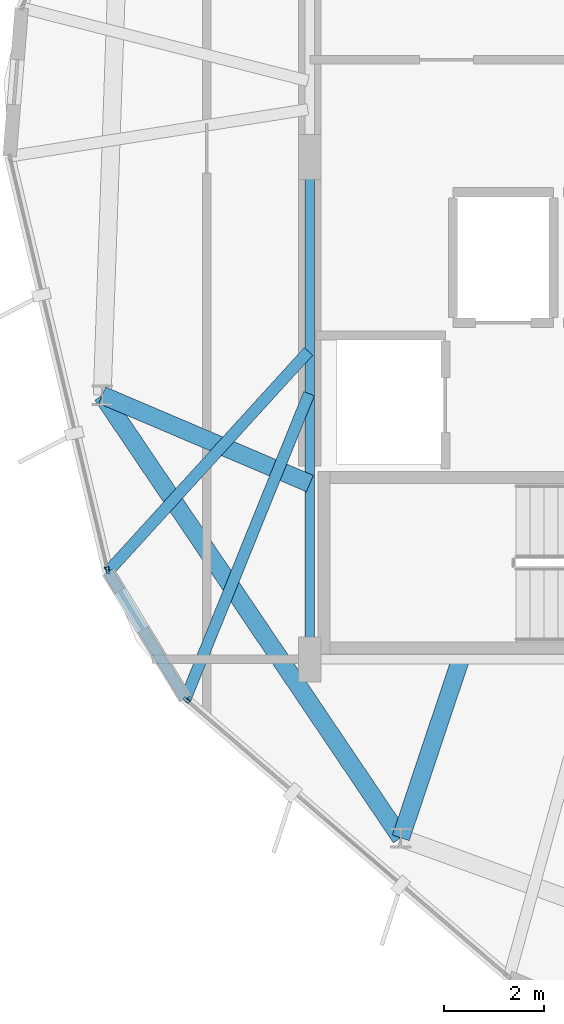
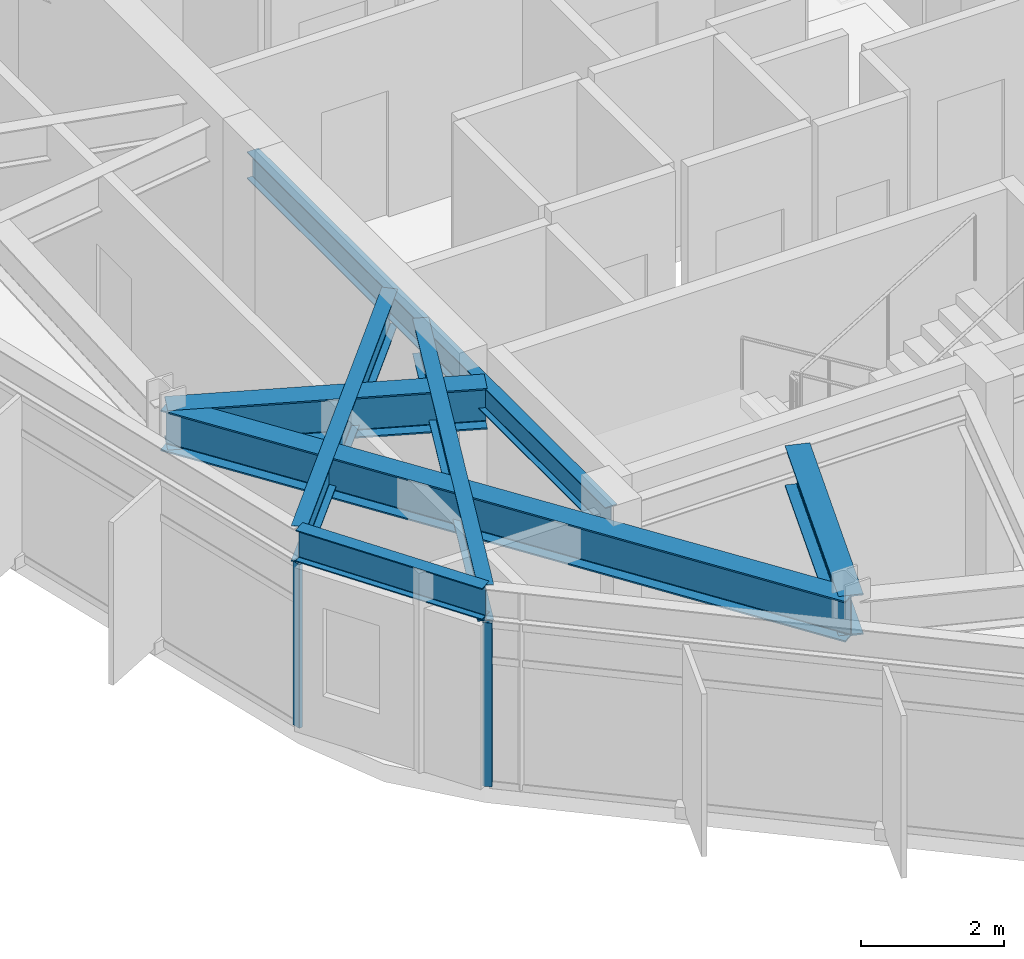
# One storey, part 3 of 23: 7 beams, 2 members, 2 elements without a shape of their own.
"""IFC4 building model written with IfcOpenShell, lengths in metres."""

from ifc_helpers import new_model, si_unit, direction, frame, origin, origin_2d, place, context, subcontext, project, spatial, hollow_rectangle, i_section, extrude, material, layer, layer_set, material_profile, profile_set, type_object, element, aggregate, save


model = new_model("IFC4")

# Units and contexts
model_context = context("Model", 3, precision=1e-05, world=origin(), true_north=direction((0.0, 1.0)))
body_context = subcontext(model_context, "Body", "Model", "MODEL_VIEW")
ifc_project = project(units=[si_unit("LENGTHUNIT", "METRE"), si_unit("AREAUNIT", "SQUARE_METRE"), si_unit("VOLUMEUNIT", "CUBIC_METRE"), si_unit("PLANEANGLEUNIT", "RADIAN"), si_unit("MASSUNIT", "GRAM", prefix="KILO")], contexts=[model_context])

# Site, building, storey
site_placement = place(None, origin())
site = spatial("IfcSite", under=ifc_project, at=site_placement, CompositionType="ELEMENT")
building_placement = place(site_placement, origin())
building = spatial("IfcBuilding", under=site, at=building_placement, Name="Soratama Intermodal Tower", CompositionType="ELEMENT")
storey_placement = place(building_placement, frame((0.0, 0.0, 280.0)))
storey = spatial("IfcBuildingStorey", under=building, at=storey_placement, Name="L71", CompositionType="ELEMENT", Elevation=280.0)

# Beams
ifc_material_1 = material(Name="Structural steel ASTM A992 Grade 50", Category="steel")
ifc_material_profile_1 = material_profile(ifc_material_1, i_section(OverallWidth=0.19091796875, OverallDepth=0.4599609375, WebThickness=0.010009765625, FlangeThickness=0.01611328125, FilletRadius=0.010986328125, at=origin_2d()), Name="W18X55")
ifc_profile_set_1 = profile_set([ifc_material_profile_1], Name="Structural steel ASTM A992 Grade 50")
beam_type_1 = type_object("IfcBeamType", Name="BM-FLR-W18X55", PredefinedType="BEAM", material=ifc_profile_set_1)
beam_1_placement = place(storey_placement, frame((32.60009765625, 25.0, 3.179931640625), z_axis=(0.0, -1.0, 0.0), x_axis=(1.0, 0.0, 0.0)))
element("IfcBeam", 1, at=beam_1_placement, inside=storey, type_object=beam_type_1, Name="BM-L71-CRING-09", PredefinedType="BEAM", context=body_context, shape_type="SweptSolid", body=[
    extrude(i_section(OverallWidth=0.19091796875, OverallDepth=0.4599609375, WebThickness=0.010009765625, FlangeThickness=0.01611328125, FilletRadius=0.010986328125, at=origin_2d()), origin(), (0.0, 0.0, 1.0), 10.0),
])
ifc_material_2 = material(Name="Structural steel ASTM A992 Grade 50", Category="steel")
ifc_material_profile_2 = material_profile(ifc_material_2, i_section(OverallWidth=0.35498046875, OverallDepth=0.695068359375, WebThickness=0.015380859375, FlangeThickness=0.02490234375, FilletRadius=0.01611328125, at=origin_2d()), Name="W27X146")
ifc_profile_set_2 = profile_set([ifc_material_profile_2], Name="Structural steel ASTM A992 Grade 50")
beam_type_2 = type_object("IfcBeamType", Name="BM-RING-W27X146", PredefinedType="BEAM", material=ifc_profile_set_2)
beam_2_placement = place(storey_placement, frame((28.466064453125, 20.259033203125, 3.0625), z_axis=(0.559218025165, -0.829020627204, 0.0), x_axis=(0.829020627204, 0.559218025165, 0.0)))
element("IfcBeam", 2, at=beam_2_placement, inside=storey, type_object=beam_type_2, Name="BM-L71-RING-06", PredefinedType="BEAM", context=body_context, shape_type="SweptSolid", body=[
    extrude(i_section(OverallWidth=0.35498046875, OverallDepth=0.695068359375, WebThickness=0.015380859375, FlangeThickness=0.02490234375, FilletRadius=0.01611328125, at=origin_2d()), origin(), (0.0, 0.0, 1.0), 10.630615234375),
])
beam_3_placement = place(storey_placement, frame((32.60009765625, 18.5, 3.0625), z_axis=(-0.920165049547, 0.391530690485, 0.0), x_axis=(-0.391530690485, -0.920165049547, 0.0)))
element("IfcBeam", 3, at=beam_3_placement, inside=storey, type_object=beam_type_2, Name="BM-L71-RAD-06", PredefinedType="BEAM", context=body_context, shape_type="SweptSolid", body=[
    extrude(i_section(OverallWidth=0.35498046875, OverallDepth=0.695068359375, WebThickness=0.015380859375, FlangeThickness=0.02490234375, FilletRadius=0.01611328125, at=origin_2d()), origin(), (0.0, 0.0, 1.0), 4.49267578125),
])
beam_4_placement = place(storey_placement, frame((35.60009765625, 15.0, 3.0625), z_axis=(-0.317321993996, -0.948317853953, 0.0), x_axis=(0.948317853953, -0.317321993996, 0.0)))
element("IfcBeam", 4, at=beam_4_placement, inside=storey, type_object=beam_type_2, Name="BM-L71-RAD-07", PredefinedType="BEAM", context=body_context, shape_type="SweptSolid", body=[
    extrude(i_section(OverallWidth=0.35498046875, OverallDepth=0.695068359375, WebThickness=0.015380859375, FlangeThickness=0.02490234375, FilletRadius=0.01611328125, at=origin_2d()), origin(), (0.0, 0.0, 1.0), 3.74755859375),
])
ifc_material_3 = material(Name="Structural steel ASTM A992 Grade 50", Category="steel")
ifc_material_profile_3 = material_profile(ifc_material_3, i_section(OverallWidth=0.2099609375, OverallDepth=0.537109375, WebThickness=0.010986328125, FlangeThickness=0.017333984375, FilletRadius=0.012939453125, at=origin_2d()), Name="W21X68")
ifc_profile_set_3 = profile_set([ifc_material_profile_3], Name="Structural steel ASTM A992 Grade 50")
beam_type_3 = type_object("IfcBeamType", Name="BM-SPN-W21X68", PredefinedType="SPANDREL", material=ifc_profile_set_3)
beam_5_placement = place(storey_placement, frame((28.580078125, 16.7451171875, 3.1416015625), z_axis=(0.519811172565, -0.854281186072, 0.0), x_axis=(0.854281186072, 0.519811172565, 0.0)))
element("IfcBeam", 5, at=beam_5_placement, inside=storey, type_object=beam_type_3, Name="BS-L71-CRN04", PredefinedType="SPANDREL", context=body_context, shape_type="SweptSolid", body=[
    extrude(i_section(OverallWidth=0.2099609375, OverallDepth=0.537109375, WebThickness=0.010986328125, FlangeThickness=0.017333984375, FilletRadius=0.012939453125, at=origin_2d()), origin(), (0.0, 0.0, 1.0), 2.966552734375),
])
ifc_material_4 = material(Name="Structural steel ASTM A992 Grade 50", Category="steel")
ifc_material_profile_4 = material_profile(ifc_material_4, i_section(OverallWidth=0.22900390625, OverallDepth=0.612060546875, WebThickness=0.011962890625, FlangeThickness=0.01953125, FilletRadius=0.012939453125, at=origin_2d()), Name="W24X84")
ifc_profile_set_4 = profile_set([ifc_material_profile_4], Name="Structural steel ASTM A992 Grade 50")
beam_type_4 = type_object("IfcBeamType", Name="BM-TIE-W24X84", PredefinedType="BEAM", material=ifc_profile_set_4)
beam_6_placement = place(storey_placement, frame((32.572998046875, 21.132080078125, 3.10400390625), z_axis=(-0.673113104303, -0.739539551894, 0.0), x_axis=(0.739539551894, -0.673113104303, 0.0)))
element("IfcBeam", 6, at=beam_6_placement, inside=storey, type_object=beam_type_4, Name="BM-L71-TIE1-04", PredefinedType="BEAM", context=body_context, shape_type="SweptSolid", body=[
    extrude(i_section(OverallWidth=0.22900390625, OverallDepth=0.612060546875, WebThickness=0.011962890625, FlangeThickness=0.01953125, FilletRadius=0.012939453125, at=origin_2d()), origin(), (0.0, 0.0, 1.0), 5.93212890625),
])
beam_7_placement = place(storey_placement, frame((32.5849609375, 20.291015625, 3.10400390625), z_axis=(-0.375442475151, -0.926845697974, 0.0), x_axis=(0.926845697974, -0.375442475151, 0.0)))
element("IfcBeam", 7, at=beam_7_placement, inside=storey, type_object=beam_type_4, Name="BM-L71-TIE0-05", PredefinedType="BEAM", context=body_context, shape_type="SweptSolid", body=[
    extrude(i_section(OverallWidth=0.22900390625, OverallDepth=0.612060546875, WebThickness=0.011962890625, FlangeThickness=0.01953125, FilletRadius=0.012939453125, at=origin_2d()), origin(), (0.0, 0.0, 1.0), 6.56005859375),
])

# Curtain wall, member
ifc_material_5 = material(Name="Double-glazed aluminium curtain wall", Category="aluminium")
ifc_layer = layer(ifc_material_5, 0.159912109375)
ifc_layer_set = layer_set([ifc_layer], Name="Double-glazed aluminium curtain wall")
curtain_wall_type = type_object("IfcCurtainWallType", Name="CW-SYS-5", PredefinedType="NOTDEFINED", material=ifc_layer_set)
curtain_wall_1_placement = place(storey_placement, origin())
curtain_wall_1 = element("IfcCurtainWall", 8, at=curtain_wall_1_placement, inside=storey, type_object=curtain_wall_type, Name="L71 Faceted Curtain Wall F04", PredefinedType="NOTDEFINED")
ifc_material_6 = material(Name="Anodised aluminium AA 6063-T6", Category="aluminium")
ifc_material_profile_5 = material_profile(ifc_material_6, hollow_rectangle(XDim=0.06494140625, YDim=0.139892578125, WallThickness=0.0048828125, InnerFilletRadius=0.0048828125, OuterFilletRadius=0.010009765625, at=origin_2d()), Name="CWM140X65X5")
ifc_profile_set_5 = profile_set([ifc_material_profile_5], Name="Anodised aluminium AA 6063-T6")
member_type = type_object("IfcMemberType", Name="MT-CWM-5", PredefinedType="MULLION", material=ifc_profile_set_5)
member_1_placement = place(storey_placement, frame((28.573486328125, 16.7744140625, 0.0), z_axis=(0.0, 0.0, 1.0), x_axis=(0.973097295915, 0.230394558711, 0.0)))
member_1 = element("IfcMember", 9, at=member_1_placement, type_object=member_type, Name="CW-5 mullion 2", PredefinedType="MULLION", context=body_context, shape_type="SweptSolid", body=[
    extrude(hollow_rectangle(XDim=0.06494140625, YDim=0.139892578125, WallThickness=0.0048828125, InnerFilletRadius=0.0048828125, OuterFilletRadius=0.010009765625, at=origin_2d()), origin(), (0.0, 0.0, 1.0), 2.7890625),
])
aggregate(curtain_wall_1, [member_1])

curtain_wall_2_placement = place(storey_placement, origin())
curtain_wall_2 = element("IfcCurtainWall", 10, at=curtain_wall_2_placement, inside=storey, type_object=curtain_wall_type, Name="L71 Faceted Curtain Wall F05", PredefinedType="NOTDEFINED")
member_2_placement = place(storey_placement, frame((30.14501953125, 14.191162109375, 0.0), z_axis=(0.0, 0.0, 1.0), x_axis=(0.651825531412, 0.758368958093, 0.0)))
member_2 = element("IfcMember", 11, at=member_2_placement, type_object=member_type, Name="CW-5 mullion 1", PredefinedType="MULLION", context=body_context, shape_type="SweptSolid", body=[
    extrude(hollow_rectangle(XDim=0.06494140625, YDim=0.139892578125, WallThickness=0.0048828125, InnerFilletRadius=0.0048828125, OuterFilletRadius=0.010009765625, at=origin_2d()), origin(), (0.0, 0.0, 1.0), 2.7890625),
])
aggregate(curtain_wall_2, [member_2])

save(model, "model.ifc")
